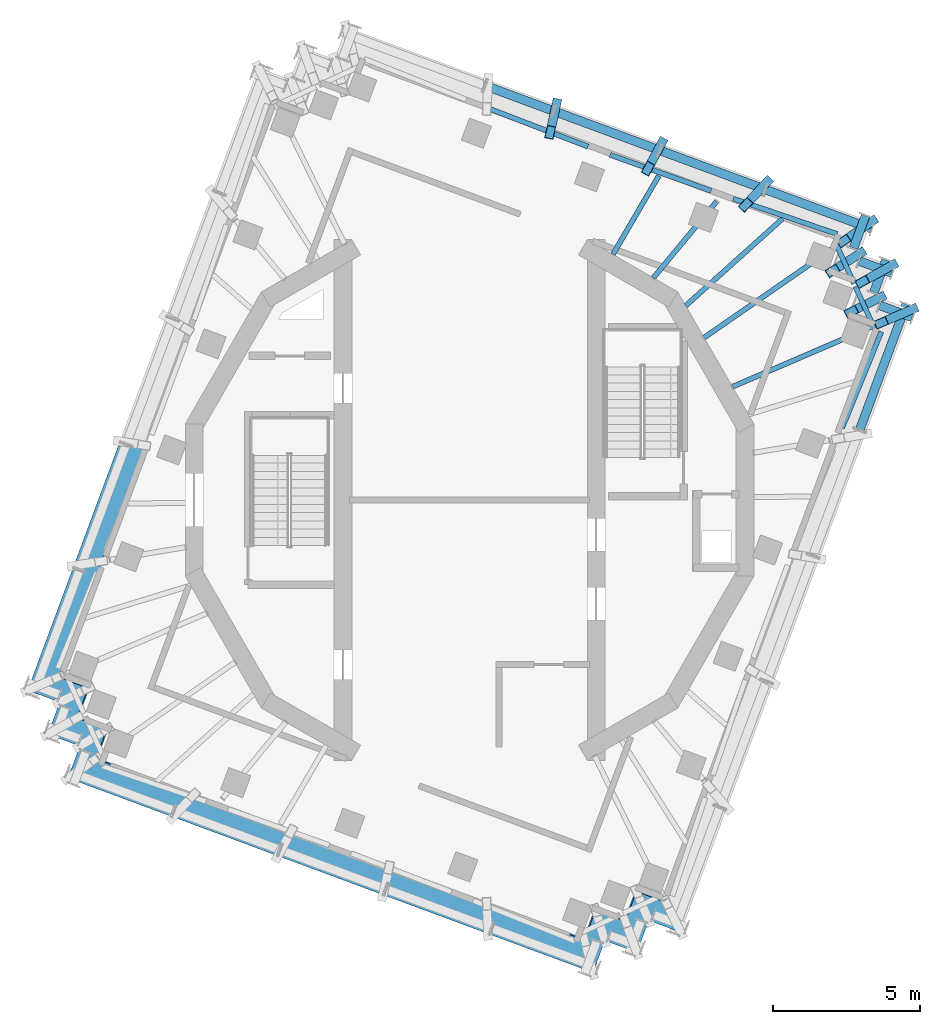
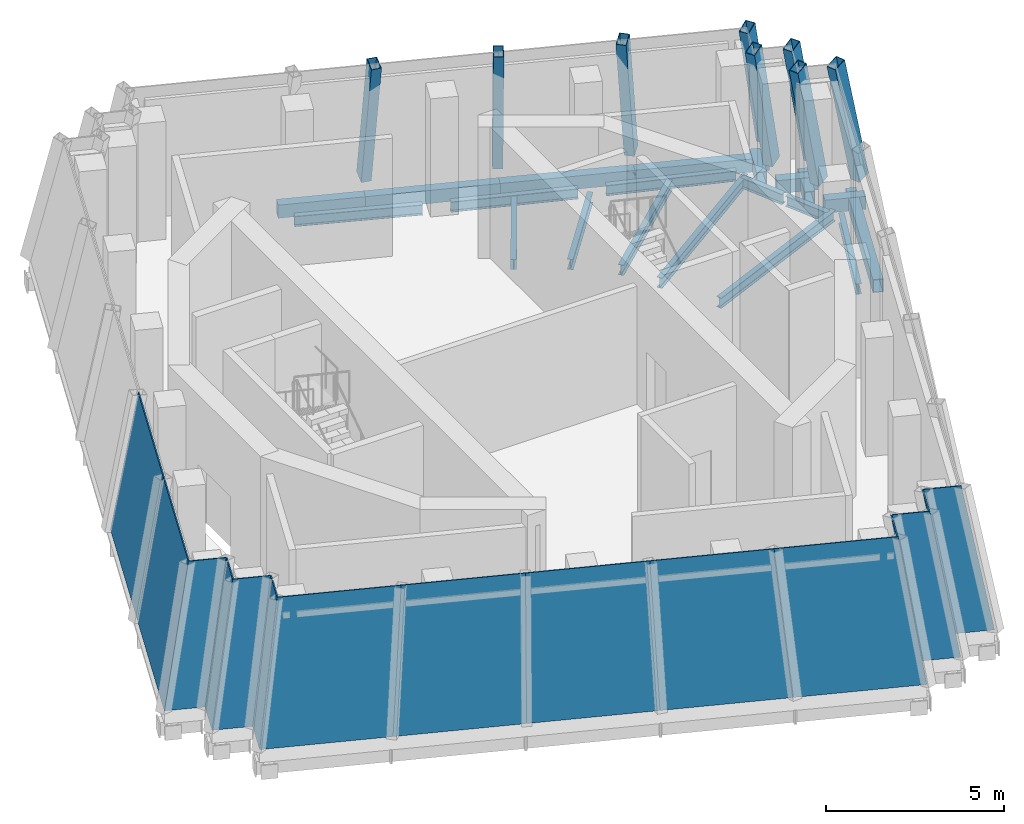
# One storey, part 3 of 11: 17 members, 15 plates, 11 beams, 24 elements without a shape of their own.
"""IFC4 building model written with IfcOpenShell, lengths in metres."""

from ifc_helpers import new_model, si_unit, direction, frame, origin, origin_2d, place, context, subcontext, project, spatial, polyline, hollow_rectangle, i_section, outline, extrude, material, layer, layer_set, material_profile, profile_set, type_object, element, aggregate, save


model = new_model("IFC4")

# Units and contexts
model_context = context("Model", 3, precision=1e-05, world=origin(), true_north=direction((0.0, 1.0)))
body_context = subcontext(model_context, "Body", "Model", "MODEL_VIEW")
ifc_project = project(units=[si_unit("LENGTHUNIT", "METRE"), si_unit("AREAUNIT", "SQUARE_METRE"), si_unit("VOLUMEUNIT", "CUBIC_METRE"), si_unit("PLANEANGLEUNIT", "RADIAN"), si_unit("MASSUNIT", "GRAM", prefix="KILO")], contexts=[model_context])

# Site, building, storey
site_placement = place(None, origin())
site = spatial("IfcSite", under=ifc_project, at=site_placement, CompositionType="ELEMENT")
building_placement = place(site_placement, origin())
building = spatial("IfcBuilding", under=site, at=building_placement, Name="Cantera Rosa Tower", CompositionType="ELEMENT")
storey_placement = place(building_placement, frame((0.0, 0.0, 365.199951171875)))
storey = spatial("IfcBuildingStorey", under=building, at=storey_placement, Name="L82", CompositionType="ELEMENT", Elevation=365.199951171875)

# Curtain wall, member
ifc_material_1 = material(Name="Aluminium frame with clear glass", Category="aluminium")
curtain_wall_type = type_object("IfcCurtainWallType", Name="CW4 CROWN GLAZING", PredefinedType="NOTDEFINED", material=ifc_material_1)
curtain_wall_1_placement = place(storey_placement, origin())
curtain_wall_1 = element("IfcCurtainWall", 1, at=curtain_wall_1_placement, inside=storey, type_object=curtain_wall_type, Name="CW4 L82-01", PredefinedType="NOTDEFINED")
ifc_material_2 = material(Name="Steel S355J2 (EN 10025-2)", Category="steel")
ifc_material_profile_1 = material_profile(ifc_material_2, hollow_rectangle(XDim=0.300048828125, YDim=0.449951171875, WallThickness=0.01611328125, at=origin_2d()), Name="CROWN FRAME MULLION RHS 300x450x16")
ifc_profile_set_1 = profile_set([ifc_material_profile_1], Name="Steel S355J2 (EN 10025-2)")
member_type_1 = type_object("IfcMemberType", Name="CROWN FRAME MULLION RHS 300x450x16", PredefinedType="MULLION", material=ifc_profile_set_1)
member_1_placement = place(storey_placement, frame((13.645263671875, 9.4482421875, 0.0), z_axis=(-0.202641387335, -0.140334681577, 0.969145316908), x_axis=(0.569331987511, -0.822107710703, 0.0)))
member_1 = element("IfcMember", 2, at=member_1_placement, type_object=member_type_1, Name="CROWN FRAME rib L82-01", PredefinedType="MULLION", context=body_context, shape_type="SweptSolid", body=[
    extrude(hollow_rectangle(XDim=0.300048828125, YDim=0.449951171875, WallThickness=0.01611328125, at=origin_2d()), origin(), (0.0, 0.0, 1.0), 4.643310546875),
])

curtain_wall_2_placement = place(storey_placement, origin())
curtain_wall_2 = element("IfcCurtainWall", 3, at=curtain_wall_2_placement, inside=storey, type_object=curtain_wall_type, Name="CW4 L82-02", PredefinedType="NOTDEFINED")
member_2_placement = place(storey_placement, frame((10.07763671875, 10.770263671875, 0.0), z_axis=(-0.150658584128, -0.160977665233, 0.975391297031), x_axis=(0.730120754726, -0.683318142243, 0.0)))
member_2 = element("IfcMember", 4, at=member_2_placement, type_object=member_type_1, Name="CROWN FRAME rib L82-02", PredefinedType="MULLION", context=body_context, shape_type="SweptSolid", body=[
    extrude(hollow_rectangle(XDim=0.300048828125, YDim=0.449951171875, WallThickness=0.01611328125, at=origin_2d()), origin(), (0.0, 0.0, 1.0), 4.613525390625),
])

curtain_wall_3_placement = place(storey_placement, origin())
curtain_wall_3 = element("IfcCurtainWall", 5, at=curtain_wall_3_placement, inside=storey, type_object=curtain_wall_type, Name="CW4 L82-03", PredefinedType="NOTDEFINED")
member_3_placement = place(storey_placement, frame((6.510009765625, 12.092529296875, 0.0), z_axis=(-0.097632922217, -0.181356205706, 0.978559011584), x_axis=(0.880512480257, -0.474022965806, 0.0)))
member_3 = element("IfcMember", 6, at=member_3_placement, type_object=member_type_1, Name="CROWN FRAME rib L82-03", PredefinedType="MULLION", context=body_context, shape_type="SweptSolid", body=[
    extrude(hollow_rectangle(XDim=0.300048828125, YDim=0.449951171875, WallThickness=0.01611328125, at=origin_2d()), origin(), (0.0, 0.0, 1.0), 4.5986328125),
])

curtain_wall_4_placement = place(storey_placement, origin())
curtain_wall_4 = element("IfcCurtainWall", 7, at=curtain_wall_4_placement, inside=storey, type_object=curtain_wall_type, Name="CW4 L82-04", PredefinedType="NOTDEFINED")
member_4_placement = place(storey_placement, frame((2.942138671875, 13.41455078125, 0.0), z_axis=(-0.044118218444, -0.201159963519, 0.978564383103), x_axis=(0.976783829743, -0.214227332414, 0.0)))
member_4 = element("IfcMember", 8, at=member_4_placement, type_object=member_type_1, Name="CROWN FRAME rib L82-04", PredefinedType="MULLION", context=body_context, shape_type="SweptSolid", body=[
    extrude(hollow_rectangle(XDim=0.300048828125, YDim=0.449951171875, WallThickness=0.01611328125, at=origin_2d()), origin(), (0.0, 0.0, 1.0), 4.5986328125),
])

curtain_wall_5_placement = place(storey_placement, origin())
curtain_wall_5 = element("IfcCurtainWall", 9, at=curtain_wall_5_placement, inside=storey, type_object=curtain_wall_type, Name="CW4 L82-33", PredefinedType="NOTDEFINED")
member_5_placement = place(storey_placement, frame((15.0146484375, 6.466552734375, 0.0), z_axis=(-0.223192294228, -0.096097413172, 0.970026023867), x_axis=(0.395460887755, -0.918482817616, 0.0)))
member_5 = element("IfcMember", 10, at=member_5_placement, type_object=member_type_1, Name="CROWN FRAME rib L82-33", PredefinedType="MULLION", context=body_context, shape_type="SweptSolid", body=[
    extrude(hollow_rectangle(XDim=0.300048828125, YDim=0.449951171875, WallThickness=0.01611328125, at=origin_2d()), origin(), (0.0, 0.0, 1.0), 4.63916015625),
])

curtain_wall_6_placement = place(storey_placement, origin())
curtain_wall_6 = element("IfcCurtainWall", 11, at=curtain_wall_6_placement, inside=storey, type_object=curtain_wall_type, Name="CW4 L82-34", PredefinedType="NOTDEFINED")
member_6_placement = place(storey_placement, frame((13.927001953125, 6.86962890625, 0.0), z_axis=(-0.207634773249, -0.102392338613, 0.972832775934), x_axis=(0.442282435739, -0.896875825874, 0.0)))
member_6 = element("IfcMember", 12, at=member_6_placement, type_object=member_type_1, Name="CROWN FRAME rib L82-34", PredefinedType="MULLION", context=body_context, shape_type="SweptSolid", body=[
    extrude(hollow_rectangle(XDim=0.300048828125, YDim=0.449951171875, WallThickness=0.01611328125, at=origin_2d()), origin(), (0.0, 0.0, 1.0), 4.625732421875),
])

curtain_wall_7_placement = place(storey_placement, origin())
curtain_wall_7 = element("IfcCurtainWall", 13, at=curtain_wall_7_placement, inside=storey, type_object=curtain_wall_type, Name="CW4 L82-35", PredefinedType="NOTDEFINED")
member_7_placement = place(storey_placement, frame((14.330078125, 7.95751953125, 0.0), z_axis=(-0.212999998171, -0.118286560249, 0.96986560432), x_axis=(0.485496229045, -0.874238761199, 0.0)))
member_7 = element("IfcMember", 14, at=member_7_placement, type_object=member_type_1, Name="CROWN FRAME rib L82-35", PredefinedType="MULLION", context=body_context, shape_type="SweptSolid", body=[
    extrude(hollow_rectangle(XDim=0.300048828125, YDim=0.449951171875, WallThickness=0.01611328125, at=origin_2d()), origin(), (0.0, 0.0, 1.0), 4.639892578125),
])

curtain_wall_8_placement = place(storey_placement, origin())
curtain_wall_8 = element("IfcCurtainWall", 15, at=curtain_wall_8_placement, inside=storey, type_object=curtain_wall_type, Name="CW4 L82-36", PredefinedType="NOTDEFINED")
member_8_placement = place(storey_placement, frame((13.2421875, 8.360595703125, 0.0), z_axis=(-0.197305780867, -0.124608624173, 0.972390415223), x_axis=(0.533975980115, -0.845499646753, 0.0)))
member_8 = element("IfcMember", 16, at=member_8_placement, type_object=member_type_1, Name="CROWN FRAME rib L82-36", PredefinedType="MULLION", context=body_context, shape_type="SweptSolid", body=[
    extrude(hollow_rectangle(XDim=0.300048828125, YDim=0.449951171875, WallThickness=0.01611328125, at=origin_2d()), origin(), (0.0, 0.0, 1.0), 4.627685546875),
])

# Member
ifc_material_3 = material(Name="Steel S355J2 (EN 10025-2)", Category="steel")
ifc_material_profile_2 = material_profile(ifc_material_3, hollow_rectangle(XDim=0.300048828125, YDim=0.449951171875, WallThickness=0.01611328125, at=origin_2d()), Name="CROWN FRAME PURLIN RHS 300x450x16")
ifc_profile_set_2 = profile_set([ifc_material_profile_2], Name="Steel S355J2 (EN 10025-2)")
member_type_2 = type_object("IfcMemberType", Name="CROWN FRAME PURLIN RHS 300x450x16", PredefinedType="PURLIN", material=ifc_profile_set_2)
member_9_placement = place(storey_placement, frame((13.652587890625, 9.21435546875, -0.675048828125), z_axis=(-0.937698901697, 0.34744894554, 0.0), x_axis=(-0.34744894554, -0.937698901697, 0.0)))
member_9 = element("IfcMember", 17, at=member_9_placement, type_object=member_type_2, Name="CROWN FRAME purlin L82-01", PredefinedType="PURLIN", context=body_context, shape_type="SweptSolid", body=[
    extrude(hollow_rectangle(XDim=0.300048828125, YDim=0.449951171875, WallThickness=0.01611328125, at=origin_2d()), origin(), (0.0, 0.0, 1.0), 3.840087890625),
])

aggregate(curtain_wall_1, [member_1, member_9])

member_10_placement = place(storey_placement, frame((10.0517578125, 10.548583984375, -0.675048828125), z_axis=(-0.937670508839, 0.347525562877, 0.0), x_axis=(-0.347525562877, -0.937670508839, 0.0)))
member_10 = element("IfcMember", 18, at=member_10_placement, type_object=member_type_2, Name="CROWN FRAME purlin L82-02", PredefinedType="PURLIN", context=body_context, shape_type="SweptSolid", body=[
    extrude(hollow_rectangle(XDim=0.300048828125, YDim=0.449951171875, WallThickness=0.01611328125, at=origin_2d()), origin(), (0.0, 0.0, 1.0), 3.83984375),
])

aggregate(curtain_wall_2, [member_2, member_10])

member_11_placement = place(storey_placement, frame((6.451171875, 11.883056640625, -0.675048828125), z_axis=(-0.937698901697, 0.34744894554, 0.0), x_axis=(-0.34744894554, -0.937698901697, 0.0)))
member_11 = element("IfcMember", 19, at=member_11_placement, type_object=member_type_2, Name="CROWN FRAME purlin L82-03", PredefinedType="PURLIN", context=body_context, shape_type="SweptSolid", body=[
    extrude(hollow_rectangle(XDim=0.300048828125, YDim=0.449951171875, WallThickness=0.01611328125, at=origin_2d()), origin(), (0.0, 0.0, 1.0), 3.840087890625),
])

aggregate(curtain_wall_3, [member_3, member_11])

member_12_placement = place(storey_placement, frame((2.850341796875, 13.21728515625, -0.675048828125), z_axis=(-0.937680140866, 0.347499573275, 0.0), x_axis=(-0.347499573275, -0.937680140866, 0.0)))
member_12 = element("IfcMember", 20, at=member_12_placement, type_object=member_type_2, Name="CROWN FRAME purlin L82-04", PredefinedType="PURLIN", context=body_context, shape_type="SweptSolid", body=[
    extrude(hollow_rectangle(XDim=0.300048828125, YDim=0.449951171875, WallThickness=0.01611328125, at=origin_2d()), origin(), (0.0, 0.0, 1.0), 2.489990234375),
])

aggregate(curtain_wall_4, [member_4, member_12])

# Curtain wall, member
curtain_wall_9_placement = place(storey_placement, origin())
curtain_wall_9 = element("IfcCurtainWall", 21, at=curtain_wall_9_placement, inside=storey, type_object=curtain_wall_type, Name="CW4 L82-32", PredefinedType="NOTDEFINED")
member_13_placement = place(storey_placement, frame((13.25, 2.3759765625, -0.675048828125), z_axis=(0.347490668123, 0.937683441022, 0.0), x_axis=(-0.937683441022, 0.347490668123, 0.0)))
member_13 = element("IfcMember", 22, at=member_13_placement, type_object=member_type_2, Name="CROWN FRAME purlin L82-32", PredefinedType="PURLIN", context=body_context, shape_type="SweptSolid", body=[
    extrude(hollow_rectangle(XDim=0.300048828125, YDim=0.449951171875, WallThickness=0.01611328125, at=origin_2d()), origin(), (0.0, 0.0, 1.0), 4.554931640625),
])
aggregate(curtain_wall_9, [member_13])

# Member
member_14_placement = place(storey_placement, frame((15.036376953125, 6.204345703125, -0.675048828125), z_axis=(-0.937718573213, 0.347395851228, 0.0), x_axis=(-0.347395851228, -0.937718573213, 0.0)))
member_14 = element("IfcMember", 23, at=member_14_placement, type_object=member_type_2, Name="CROWN FRAME purlin L82-33", PredefinedType="PURLIN", context=body_context, shape_type="SweptSolid", body=[
    extrude(hollow_rectangle(XDim=0.300048828125, YDim=0.449951171875, WallThickness=0.01611328125, at=origin_2d()), origin(), (0.0, 0.0, 1.0), 1.1708984375),
])

aggregate(curtain_wall_5, [member_5, member_14])

member_15_placement = place(storey_placement, frame((13.735107421875, 7.054931640625, -0.675048828125), z_axis=(0.347395851228, 0.937718573213, 0.0), x_axis=(-0.937718573213, 0.347395851228, 0.0)))
member_15 = element("IfcMember", 24, at=member_15_placement, type_object=member_type_2, Name="CROWN FRAME purlin L82-34", PredefinedType="PURLIN", context=body_context, shape_type="SweptSolid", body=[
    extrude(hollow_rectangle(XDim=0.300048828125, YDim=0.449951171875, WallThickness=0.01611328125, at=origin_2d()), origin(), (0.0, 0.0, 1.0), 1.1708984375),
])

aggregate(curtain_wall_6, [member_6, member_15])

member_16_placement = place(storey_placement, frame((14.344482421875, 7.70947265625, -0.675048828125), z_axis=(-0.937718573213, 0.347395851228, 0.0), x_axis=(-0.347395851228, -0.937718573213, 0.0)))
member_16 = element("IfcMember", 25, at=member_16_placement, type_object=member_type_2, Name="CROWN FRAME purlin L82-35", PredefinedType="PURLIN", context=body_context, shape_type="SweptSolid", body=[
    extrude(hollow_rectangle(XDim=0.300048828125, YDim=0.449951171875, WallThickness=0.01611328125, at=origin_2d()), origin(), (0.0, 0.0, 1.0), 1.1708984375),
])

aggregate(curtain_wall_7, [member_7, member_16])

member_17_placement = place(storey_placement, frame((13.044189453125, 8.560791015625, -0.675048828125), z_axis=(0.3475112458, 0.937675815003, 0.0), x_axis=(-0.937675815003, 0.3475112458, 0.0)))
member_17 = element("IfcMember", 26, at=member_17_placement, type_object=member_type_2, Name="CROWN FRAME purlin L82-36", PredefinedType="PURLIN", context=body_context, shape_type="SweptSolid", body=[
    extrude(hollow_rectangle(XDim=0.300048828125, YDim=0.449951171875, WallThickness=0.01611328125, at=origin_2d()), origin(), (0.0, 0.0, 1.0), 1.171142578125),
])

aggregate(curtain_wall_8, [member_8, member_17])

# Beams
ifc_material_4 = material(Name="Steel ASTM A992 (Fy 345 MPa)", Category="steel")
ifc_material_profile_3 = material_profile(ifc_material_4, i_section(OverallWidth=0.1708984375, OverallDepth=0.35595703125, WebThickness=0.00732421875, FlangeThickness=0.01171875, FilletRadius=0.010009765625, at=origin_2d()), Name="W360X51")
ifc_profile_set_3 = profile_set([ifc_material_profile_3], Name="Steel ASTM A992 (Fy 345 MPa)")
beam_type_1 = type_object("IfcBeamType", Name="STEEL BEAM W360X51", PredefinedType="BEAM", material=ifc_profile_set_3)
beam_1_placement = place(storey_placement, frame((12.61767578125, 8.736572265625, -0.6279296875), z_axis=(-0.822157998334, -0.569259365997, 0.0), x_axis=(0.569259365997, -0.822157998334, 0.0)))
element("IfcBeam", 27, at=beam_1_placement, inside=storey, type_object=beam_type_1, Name="CG-Z6-01 L82", PredefinedType="BEAM", context=body_context, shape_type="SweptSolid", body=[
    extrude(i_section(OverallWidth=0.1708984375, OverallDepth=0.35595703125, WebThickness=0.00732421875, FlangeThickness=0.01171875, FilletRadius=0.010009765625, at=origin_2d()), origin(), (0.0, 0.0, 1.0), 5.655029296875),
])
beam_2_placement = place(storey_placement, frame((8.388916015625, 10.1376953125, -0.6279296875), z_axis=(-0.637530557707, -0.770425069679, 0.0), x_axis=(0.770425069679, -0.637530557707, 0.0)))
element("IfcBeam", 28, at=beam_2_placement, inside=storey, type_object=beam_type_1, Name="CG-Z6-02 L82", PredefinedType="BEAM", context=body_context, shape_type="SweptSolid", body=[
    extrude(i_section(OverallWidth=0.1708984375, OverallDepth=0.35595703125, WebThickness=0.00732421875, FlangeThickness=0.01171875, FilletRadius=0.010009765625, at=origin_2d()), origin(), (0.0, 0.0, 1.0), 3.36181640625),
])
beam_3_placement = place(storey_placement, frame((13.86669921875, 5.97216796875, -0.6279296875), z_axis=(-0.918450207222, -0.395536618854, 0.0), x_axis=(0.395536618854, -0.918450207222, 0.0)))
element("IfcBeam", 29, at=beam_3_placement, inside=storey, type_object=beam_type_1, Name="CG-Z6-12 L82", PredefinedType="BEAM", context=body_context, shape_type="SweptSolid", body=[
    extrude(i_section(OverallWidth=0.1708984375, OverallDepth=0.35595703125, WebThickness=0.00732421875, FlangeThickness=0.01171875, FilletRadius=0.010009765625, at=origin_2d()), origin(), (0.0, 0.0, 1.0), 5.37255859375),
])
beam_4_placement = place(storey_placement, frame((10.633056640625, 9.557861328125, -0.6279296875), z_axis=(-0.743713824579, -0.668498127992, 0.0), x_axis=(0.668498127992, -0.743713824579, 0.0)))
element("IfcBeam", 30, at=beam_4_placement, inside=storey, type_object=beam_type_1, Name="CB-Z6-01 L82", PredefinedType="BEAM", context=body_context, shape_type="SweptSolid", body=[
    extrude(i_section(OverallWidth=0.1708984375, OverallDepth=0.35595703125, WebThickness=0.00732421875, FlangeThickness=0.01171875, FilletRadius=0.010009765625, at=origin_2d()), origin(), (0.0, 0.0, 1.0), 4.424072265625),
])
beam_5_placement = place(storey_placement, frame((6.427490234375, 11.01220703125, -0.6279296875), z_axis=(-0.504087061279, -0.863652843827, 0.0), x_axis=(0.863652843827, -0.504087061279, 0.0)))
element("IfcBeam", 31, at=beam_5_placement, inside=storey, type_object=beam_type_1, Name="CB-Z6-02 L82", PredefinedType="BEAM", context=body_context, shape_type="SweptSolid", body=[
    extrude(i_section(OverallWidth=0.1708984375, OverallDepth=0.35595703125, WebThickness=0.00732421875, FlangeThickness=0.01171875, FilletRadius=0.010009765625, at=origin_2d()), origin(), (0.0, 0.0, 1.0), 3.09130859375),
])
ifc_material_5 = material(Name="Steel ASTM A992 (Fy 345 MPa)", Category="steel")
ifc_material_profile_4 = material_profile(ifc_material_5, i_section(OverallWidth=0.1708984375, OverallDepth=0.35595703125, WebThickness=0.00732421875, FlangeThickness=0.01171875, FilletRadius=0.010009765625, at=origin_2d()), Name="W360X51")
ifc_profile_set_4 = profile_set([ifc_material_profile_4], Name="Steel ASTM A992 (Fy 345 MPa)")
beam_type_2 = type_object("IfcBeamType", Name="STEEL SPANDREL BEAM W360X51", PredefinedType="SPANDREL", material=ifc_profile_set_4)
beam_6_placement = place(storey_placement, frame((12.485595703125, 9.03662109375, -0.6279296875), z_axis=(-0.946445592965, 0.322863345018, 0.0), x_axis=(-0.322863345018, -0.946445592965, 0.0)))
element("IfcBeam", 32, at=beam_6_placement, inside=storey, type_object=beam_type_2, Name="CEB-Z6-01 L82", PredefinedType="SPANDREL", context=body_context, shape_type="SweptSolid", body=[
    extrude(i_section(OverallWidth=0.1708984375, OverallDepth=0.35595703125, WebThickness=0.00732421875, FlangeThickness=0.01171875, FilletRadius=0.010009765625, at=origin_2d()), origin(), (0.0, 0.0, 1.0), 3.726318359375),
])
beam_7_placement = place(storey_placement, frame((8.203369140625, 10.50341796875, -0.6279296875), z_axis=(-0.941775265696, 0.336242990891, 0.0), x_axis=(-0.336242990891, -0.941775265696, 0.0)))
element("IfcBeam", 33, at=beam_7_placement, inside=storey, type_object=beam_type_2, Name="CEB-Z6-02 L82", PredefinedType="SPANDREL", context=body_context, shape_type="SweptSolid", body=[
    extrude(i_section(OverallWidth=0.1708984375, OverallDepth=0.35595703125, WebThickness=0.00732421875, FlangeThickness=0.01171875, FilletRadius=0.010009765625, at=origin_2d()), origin(), (0.0, 0.0, 1.0), 3.642822265625),
])
beam_8_placement = place(storey_placement, frame((4.0224609375, 12.006103515625, -0.6279296875), z_axis=(-0.933447486987, 0.358714076998, 0.0), x_axis=(-0.358714076998, -0.933447486987, 0.0)))
element("IfcBeam", 34, at=beam_8_placement, inside=storey, type_object=beam_type_2, Name="CEB-Z6-03 L82", PredefinedType="SPANDREL", context=body_context, shape_type="SweptSolid", body=[
    extrude(i_section(OverallWidth=0.1708984375, OverallDepth=0.35595703125, WebThickness=0.00732421875, FlangeThickness=0.01171875, FilletRadius=0.010009765625, at=origin_2d()), origin(), (0.0, 0.0, 1.0), 3.642578125),
])
beam_9_placement = place(storey_placement, frame((12.660400390625, 2.4501953125, -0.6279296875), z_axis=(0.376951991999, 0.926232797804, 0.0), x_axis=(-0.926232797804, 0.376951991999, 0.0)))
element("IfcBeam", 35, at=beam_9_placement, inside=storey, type_object=beam_type_2, Name="CEB-Z6-24 L82", PredefinedType="SPANDREL", context=body_context, shape_type="SweptSolid", body=[
    extrude(i_section(OverallWidth=0.1708984375, OverallDepth=0.35595703125, WebThickness=0.00732421875, FlangeThickness=0.01171875, FilletRadius=0.010009765625, at=origin_2d()), origin(), (0.0, 0.0, 1.0), 3.530517578125),
])
beam_10_placement = place(storey_placement, frame((13.700927734375, 5.94970703125, -0.6279296875), z_axis=(-0.415956917371, 0.909384320786, 0.0), x_axis=(-0.909384320786, -0.415956917371, 0.0)))
element("IfcBeam", 36, at=beam_10_placement, inside=storey, type_object=beam_type_2, Name="CEB-Z6-25 L82", PredefinedType="SPANDREL", context=body_context, shape_type="SweptSolid", body=[
    extrude(i_section(OverallWidth=0.1708984375, OverallDepth=0.35595703125, WebThickness=0.00732421875, FlangeThickness=0.01171875, FilletRadius=0.010009765625, at=origin_2d()), origin(), (0.0, 0.0, 1.0), 1.433837890625),
])
beam_11_placement = place(storey_placement, frame((13.058349609375, 7.355712890625, -0.6279296875), z_axis=(-0.410470683178, 0.911873795134, 0.0), x_axis=(-0.911873795134, -0.410470683178, 0.0)))
element("IfcBeam", 37, at=beam_11_placement, inside=storey, type_object=beam_type_2, Name="CEB-Z6-26 L82", PredefinedType="SPANDREL", context=body_context, shape_type="SweptSolid", body=[
    extrude(i_section(OverallWidth=0.1708984375, OverallDepth=0.35595703125, WebThickness=0.00732421875, FlangeThickness=0.01171875, FilletRadius=0.010009765625, at=origin_2d()), origin(), (0.0, 0.0, 1.0), 1.436279296875),
])

# Curtain wall, plate
curtain_wall_10_placement = place(storey_placement, origin())
curtain_wall_10 = element("IfcCurtainWall", 38, at=curtain_wall_10_placement, inside=storey, type_object=curtain_wall_type, Name="CW4 L82-13", PredefinedType="NOTDEFINED")
ifc_material_6 = material(Name="Aluminium frame with clear glass", Category="aluminium")
ifc_layer = layer(ifc_material_6, 0.0400390625)
ifc_layer_set = layer_set([ifc_layer], Name="CW-PANEL CROWN 40")
plate_type = type_object("IfcPlateType", Name="CW-PANEL CROWN 40", PredefinedType="CURTAIN_PANEL", material=ifc_layer_set)
plate_1_placement = place(storey_placement, frame((-11.878662109375, 1.995849609375, 0.0), z_axis=(-0.922639093591, 0.34190605787, 0.178430240063), x_axis=(-0.347483138446, -0.937686231353, -5.184173e-06)))
plate_1 = element("IfcPlate", 39, at=plate_1_placement, type_object=plate_type, Name="CROWN GLAZING L82-13", PredefinedType="CURTAIN_PANEL", context=body_context, shape_type="SweptSolid", body=[
    extrude(outline(polyline([(0.0, 0.0), (4.512432684037139, -5.551115123125783e-17), (4.045669009813768, 4.573412515296011), (-0.15552891837943503, 4.573366605592798), (0.0, 0.0)])), origin(), (0.0, 0.0, -1.0), 0.0400390625),
])
aggregate(curtain_wall_10, [plate_1])

curtain_wall_11_placement = place(storey_placement, origin())
curtain_wall_11 = element("IfcCurtainWall", 40, at=curtain_wall_11_placement, inside=storey, type_object=curtain_wall_type, Name="CW4 L82-14", PredefinedType="NOTDEFINED")
plate_2_placement = place(storey_placement, frame((-13.44677734375, -2.2353515625, 0.0), z_axis=(-0.922637741508, 0.341905556823, 0.178438191423), x_axis=(-0.347481623837, -0.937686792635, 3.72302e-06)))
plate_2 = element("IfcPlate", 41, at=plate_2_placement, type_object=plate_type, Name="CROWN GLAZING L82-14", PredefinedType="CURTAIN_PANEL", context=body_context, shape_type="SweptSolid", body=[
    extrude(outline(polyline([(0.0, 0.0), (4.512347849471424, 0.0), (3.7345604892807645, 4.573383771228187), (-0.46672227353671913, 4.57341674138169), (0.0, 0.0)])), origin(), (0.0, 0.0, -1.0), 0.0400390625),
])
aggregate(curtain_wall_11, [plate_2])

curtain_wall_12_placement = place(storey_placement, origin())
curtain_wall_12 = element("IfcCurtainWall", 42, at=curtain_wall_12_placement, inside=storey, type_object=curtain_wall_type, Name="CW4 L82-15", PredefinedType="NOTDEFINED")
plate_3_placement = place(storey_placement, frame((-15.0146484375, -6.466552734375, 0.0), z_axis=(-0.342400289911, -0.923986729645, 0.170324880476), x_axis=(0.937688032222, -0.347478278763, -3.900411e-06)))
plate_3 = element("IfcPlate", 43, at=plate_3_placement, type_object=plate_type, Name="CROWN GLAZING L82-15", PredefinedType="CURTAIN_PANEL", context=body_context, shape_type="SweptSolid", body=[
    extrude(outline(polyline([(0.0, 0.0), (1.1599333061004615, 0.0), (1.8959403777767683, 4.566736726877417), (0.8159589148577493, 4.566727860736626), (0.0, 0.0)])), origin(), (0.0, 0.0, -1.0), 0.0400390625),
])
aggregate(curtain_wall_12, [plate_3])

curtain_wall_13_placement = place(storey_placement, origin())
curtain_wall_13 = element("IfcCurtainWall", 44, at=curtain_wall_13_placement, inside=storey, type_object=curtain_wall_type, Name="CW4 L82-16", PredefinedType="NOTDEFINED")
plate_4_placement = place(storey_placement, frame((-13.927001953125, -6.86962890625, 0.0), z_axis=(-0.925404285088, 0.342885734642, 0.161419584063), x_axis=(-0.347441842805, -0.937701533466, 1.914432e-06)))
plate_4 = element("IfcPlate", 45, at=plate_4_placement, type_object=plate_type, Name="CROWN GLAZING L82-16", PredefinedType="CURTAIN_PANEL", context=body_context, shape_type="SweptSolid", body=[
    extrude(outline(polyline([(0.0, 0.0), (1.1601622352528855, -2.0816681711721685e-17), (0.30216361706534467, 4.559797200632011), (-0.7778178461203248, 4.559801546223428), (0.0, 0.0)])), origin(), (0.0, 0.0, -1.0), 0.0400390625),
])
aggregate(curtain_wall_13, [plate_4])

curtain_wall_14_placement = place(storey_placement, origin())
curtain_wall_14 = element("IfcCurtainWall", 46, at=curtain_wall_14_placement, inside=storey, type_object=curtain_wall_type, Name="CW4 L82-17", PredefinedType="NOTDEFINED")
plate_5_placement = place(storey_placement, frame((-14.330078125, -7.95751953125, 0.0), z_axis=(-0.341293945833, -0.921108252807, 0.187291294911), x_axis=(0.937701571135, -0.34744174114, 2.210958e-06)))
plate_5 = element("IfcPlate", 47, at=plate_5_placement, type_object=plate_type, Name="CROWN GLAZING L82-17", PredefinedType="CURTAIN_PANEL", context=body_context, shape_type="SweptSolid", body=[
    extrude(outline(polyline([(0.0, 0.0), (1.1601622352536414, 0.0), (1.816018494005862, 4.581060513978668), (0.7360370308224075, 4.581065556064784), (0.0, 0.0)])), origin(), (0.0, 0.0, -1.0), 0.0400390625),
])
aggregate(curtain_wall_14, [plate_5])

curtain_wall_15_placement = place(storey_placement, origin())
curtain_wall_15 = element("IfcCurtainWall", 48, at=curtain_wall_15_placement, inside=storey, type_object=curtain_wall_type, Name="CW4 L82-18", PredefinedType="NOTDEFINED")
plate_6_placement = place(storey_placement, frame((-13.2421875, -8.360595703125, 0.0), z_axis=(-0.927885521942, 0.34384505916, 0.144218700114), x_axis=(-0.347478099823, -0.937688098534, -3.316519e-06)))
plate_6 = element("IfcPlate", 49, at=plate_6_placement, type_object=plate_type, Name="CROWN GLAZING L82-18", PredefinedType="CURTAIN_PANEL", context=body_context, shape_type="SweptSolid", body=[
    extrude(outline(polyline([(0.0, 0.0), (1.1599333060978896, -2.7755575615628914e-17), (0.22196180663747772, 4.547541469007833), (-0.8580196562890803, 4.547533961805737), (0.0, 0.0)])), origin(), (0.0, 0.0, -1.0), 0.0400390625),
])
aggregate(curtain_wall_15, [plate_6])

curtain_wall_16_placement = place(storey_placement, origin())
curtain_wall_16 = element("IfcCurtainWall", 50, at=curtain_wall_16_placement, inside=storey, type_object=curtain_wall_type, Name="CW4 L82-19", PredefinedType="NOTDEFINED")
plate_7_placement = place(storey_placement, frame((-13.645263671875, -9.4482421875, 0.0), z_axis=(-0.340165224007, -0.917961409223, 0.204045268396), x_axis=(0.937689092441, -0.347475417715, 9.60879e-07)))
plate_7 = element("IfcPlate", 51, at=plate_7_placement, type_object=plate_type, Name="CROWN GLAZING L82-19", PredefinedType="CURTAIN_PANEL", context=body_context, shape_type="SweptSolid", body=[
    extrude(outline(polyline([(0.0, 0.0), (3.804694847355309, 5.551115123125783e-17), (4.198395613080415, 4.596703932929117), (0.6558739217055262, 4.596711144433926), (0.0, 0.0)])), origin(), (0.0, 0.0, -1.0), 0.0400390625),
])
aggregate(curtain_wall_16, [plate_7])

curtain_wall_17_placement = place(storey_placement, origin())
curtain_wall_17 = element("IfcCurtainWall", 52, at=curtain_wall_17_placement, inside=storey, type_object=curtain_wall_type, Name="CW4 L82-20", PredefinedType="NOTDEFINED")
plate_8_placement = place(storey_placement, frame((-10.07763671875, -10.770263671875, 0.0), z_axis=(-0.340203721243, -0.917944980498, 0.204054994624), x_axis=(0.937673999764, -0.347516143739, -2.527527e-06)))
plate_8 = element("IfcPlate", 53, at=plate_8_placement, type_object=plate_type, Name="CROWN GLAZING L82-20", PredefinedType="CURTAIN_PANEL", context=body_context, shape_type="SweptSolid", body=[
    extrude(outline(polyline([(0.0, 0.0), (3.8047796858030525, 0.0), (3.935937095759924, 4.596727734943625), (0.3936443312266514, 4.596708765903235), (0.0, 0.0)])), origin(), (0.0, 0.0, -1.0), 0.0400390625),
])
aggregate(curtain_wall_17, [plate_8])

curtain_wall_18_placement = place(storey_placement, origin())
curtain_wall_18 = element("IfcCurtainWall", 54, at=curtain_wall_18_placement, inside=storey, type_object=curtain_wall_type, Name="CW4 L82-21", PredefinedType="NOTDEFINED")
plate_9_placement = place(storey_placement, frame((-6.510009765625, -12.092529296875, 0.0), z_axis=(-0.340154195394, -0.917964176533, 0.204051204254), x_axis=(0.937693259812, -0.347464171526, 3.108178e-06)))
plate_9 = element("IfcPlate", 55, at=plate_9_placement, type_object=plate_type, Name="CROWN GLAZING L82-21", PredefinedType="CURTAIN_PANEL", context=body_context, shape_type="SweptSolid", body=[
    extrude(outline(polyline([(0.0, 0.0), (3.80492377629392, 0.0), (3.6737564527884428, 4.596702199120742), (0.1312347619118278, 4.596725527102353), (0.0, 0.0)])), origin(), (0.0, 0.0, -1.0), 0.0400390625),
])
aggregate(curtain_wall_18, [plate_9])

curtain_wall_19_placement = place(storey_placement, origin())
curtain_wall_19 = element("IfcCurtainWall", 56, at=curtain_wall_19_placement, inside=storey, type_object=curtain_wall_type, Name="CW4 L82-22", PredefinedType="NOTDEFINED")
plate_10_placement = place(storey_placement, frame((-2.942138671875, -13.41455078125, 0.0), z_axis=(-0.34014681761, -0.917966994963, 0.20405082364), x_axis=(0.937695623567, -0.34745779245, -2.95695e-06)))
plate_10 = element("IfcPlate", 57, at=plate_10_placement, type_object=plate_type, Name="CROWN GLAZING L82-22", PredefinedType="CURTAIN_PANEL", context=body_context, shape_type="SweptSolid", body=[
    extrude(outline(polyline([(0.0, 0.0), (3.8046948469980095, 0.0), (3.4110196961561767, 4.596723793691154), (-0.13118823606351024, 4.596701602366079), (0.0, 0.0)])), origin(), (0.0, 0.0, -1.0), 0.0400390625),
])
aggregate(curtain_wall_19, [plate_10])

curtain_wall_20_placement = place(storey_placement, origin())
curtain_wall_20 = element("IfcCurtainWall", 58, at=curtain_wall_20_placement, inside=storey, type_object=curtain_wall_type, Name="CW4 L82-23", PredefinedType="NOTDEFINED")
plate_11_placement = place(storey_placement, frame((0.62548828125, -14.736572265625, 0.0), z_axis=(-0.340191484145, -0.917944491404, 0.204077595087), x_axis=(0.937677845459, -0.34750576702, -4.834778e-06)))
plate_11 = element("IfcPlate", 59, at=plate_11_placement, type_object=plate_type, Name="CROWN GLAZING L82-23", PredefinedType="CURTAIN_PANEL", context=body_context, shape_type="SweptSolid", body=[
    extrude(outline(polyline([(0.0, 0.0), (3.8047796850271958, 5.551115123125783e-17), (3.1487900979621717, 4.596755245237026), (-0.3937315921327476, 4.596718959012854), (0.0, 0.0)])), origin(), (0.0, 0.0, -1.0), 0.0400390625),
])
aggregate(curtain_wall_20, [plate_11])

curtain_wall_21_placement = place(storey_placement, origin())
curtain_wall_21 = element("IfcCurtainWall", 60, at=curtain_wall_21_placement, inside=storey, type_object=curtain_wall_type, Name="CW4 L82-24", PredefinedType="NOTDEFINED")
plate_12_placement = place(storey_placement, frame((4.193115234375, -16.058837890625, 0.0), z_axis=(0.927897076735, -0.343809377107, 0.144229425569), x_axis=(0.347441902014, 0.937701511528, 1.715165e-06)))
plate_12 = element("IfcPlate", 61, at=plate_12_placement, type_object=plate_type, Name="CROWN GLAZING L82-24", PredefinedType="CURTAIN_PANEL", context=body_context, shape_type="SweptSolid", body=[
    extrude(outline(polyline([(0.0, 0.0), (1.1601622352524454, 6.938893903907228e-18), (2.0182168537482856, 4.547544410804056), (0.9382353905613258, 4.5475482936176395), (0.0, 0.0)])), origin(), (0.0, 0.0, -1.0), 0.0400390625),
])
aggregate(curtain_wall_21, [plate_12])

curtain_wall_22_placement = place(storey_placement, origin())
curtain_wall_22 = element("IfcCurtainWall", 62, at=curtain_wall_22_placement, inside=storey, type_object=curtain_wall_type, Name="CW4 L82-25", PredefinedType="NOTDEFINED")
plate_13_placement = place(storey_placement, frame((4.59619140625, -14.970947265625, 0.0), z_axis=(-0.341293397835, -0.92110677383, 0.187299567002), x_axis=(0.937701571148, -0.347441741105, 2.211052e-06)))
plate_13 = element("IfcPlate", 63, at=plate_13_placement, type_object=plate_type, Name="CROWN GLAZING L82-25", PredefinedType="CURTAIN_PANEL", context=body_context, shape_type="SweptSolid", body=[
    extrude(outline(polyline([(0.0, 0.0), (1.1601622352536416, 0.0), (0.4241154943428339, 4.581071002407844), (-0.6558659688406195, 4.581076044716653), (0.0, 0.0)])), origin(), (0.0, 0.0, -1.0), 0.0400390625),
])
aggregate(curtain_wall_22, [plate_13])

curtain_wall_23_placement = place(storey_placement, origin())
curtain_wall_23 = element("IfcCurtainWall", 64, at=curtain_wall_23_placement, inside=storey, type_object=curtain_wall_type, Name="CW4 L82-26", PredefinedType="NOTDEFINED")
plate_14_placement = place(storey_placement, frame((5.68408203125, -15.3740234375, 0.0), z_axis=(0.92538881492, -0.342919858417, 0.161435782663), x_axis=(0.347478214499, 0.937688056037, -3.702462e-06)))
plate_14 = element("IfcPlate", 65, at=plate_14_placement, type_object=plate_type, Name="CROWN GLAZING L82-26", PredefinedType="CURTAIN_PANEL", context=body_context, shape_type="SweptSolid", body=[
    extrude(outline(polyline([(0.0, 0.0), (1.1599333060995378, -6.938893903907228e-18), (1.9379553328204608, 4.559817299854685), (0.8579738698987345, 4.5598088964295735), (0.0, 0.0)])), origin(), (0.0, 0.0, -1.0), 0.0400390625),
])
aggregate(curtain_wall_23, [plate_14])

curtain_wall_24_placement = place(storey_placement, origin())
curtain_wall_24 = element("IfcCurtainWall", 66, at=curtain_wall_24_placement, inside=storey, type_object=curtain_wall_type, Name="CW4 L82-27", PredefinedType="NOTDEFINED")
plate_15_placement = place(storey_placement, frame((6.087158203125, -14.286376953125, 0.0), z_axis=(-0.342397243972, -0.923978510003, 0.170375586201), x_axis=(0.937688032083, -0.347478279139, -3.901538e-06)))
plate_15 = element("IfcPlate", 67, at=plate_15_placement, type_object=plate_type, Name="CROWN GLAZING L82-27", PredefinedType="CURTAIN_PANEL", context=body_context, shape_type="SweptSolid", body=[
    extrude(outline(polyline([(0.0, 0.0), (1.159933306100467, 0.0), (0.3438199241183921, 4.566771208875232), (-0.7361615388006111, 4.566762340094991), (0.0, 0.0)])), origin(), (0.0, 0.0, -1.0), 0.0400390625),
])
aggregate(curtain_wall_24, [plate_15])

save(model, "model.ifc")
